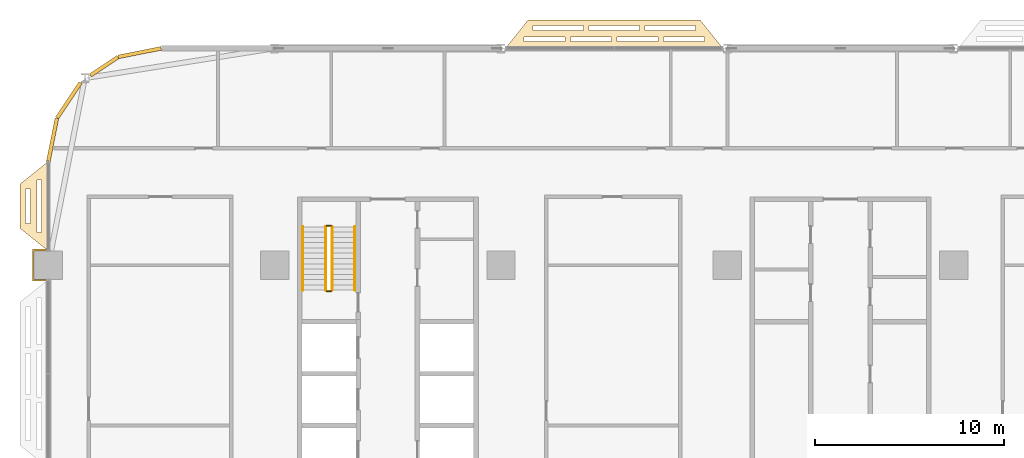
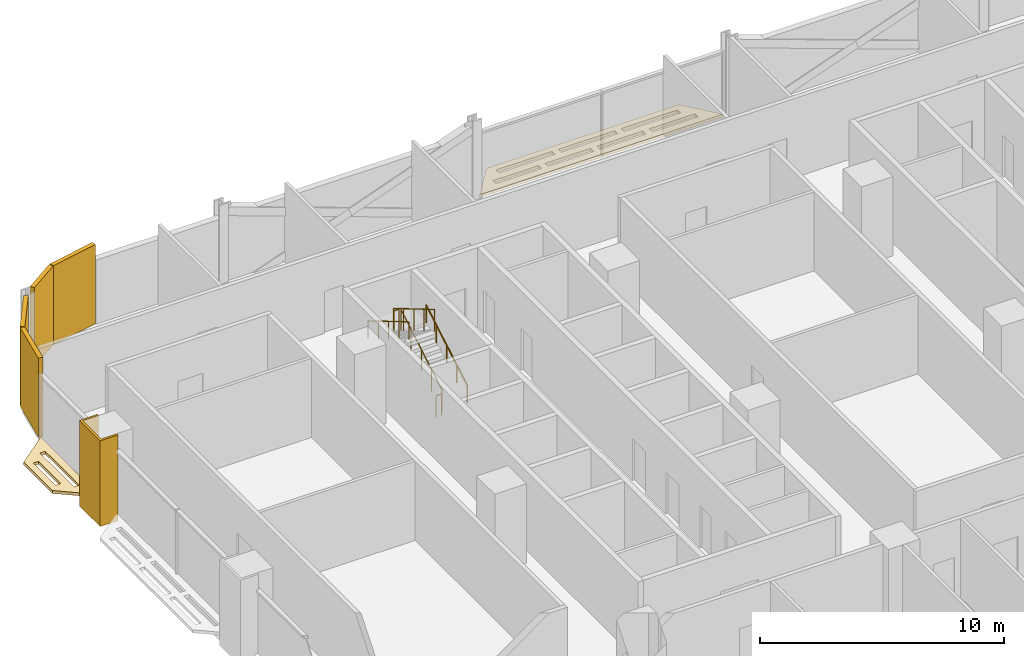
# One storey, part 26 of 29: 7 coverings, 6 railings.
"""IFC4 building model written with IfcOpenShell, lengths in metres."""

from ifc_helpers import new_model, si_unit, direction, frame, origin, origin_2d, place, context, subcontext, project, spatial, polyline, rectangle, circle, outline, extrude, material, layer, layer_set, type_object, element, save


model = new_model("IFC4")

# Units and contexts
model_context = context("Model", 3, precision=1e-05, world=origin(), true_north=direction((0.0, 1.0)))
body_context = subcontext(model_context, "Body", "Model", "MODEL_VIEW")
ifc_project = project(units=[si_unit("LENGTHUNIT", "METRE"), si_unit("AREAUNIT", "SQUARE_METRE"), si_unit("VOLUMEUNIT", "CUBIC_METRE"), si_unit("PLANEANGLEUNIT", "RADIAN"), si_unit("MASSUNIT", "GRAM", prefix="KILO")], contexts=[model_context])

# Site, building, storey
site_placement = place(None, origin())
site = spatial("IfcSite", under=ifc_project, at=site_placement, CompositionType="ELEMENT")
building_placement = place(site_placement, origin())
building = spatial("IfcBuilding", under=site, at=building_placement, Name="Mahtab Terrace Research Tower", CompositionType="ELEMENT")
storey_placement = place(building_placement, frame((0.0, 0.0, 58.89990234375)))
storey = spatial("IfcBuildingStorey", under=building, at=storey_placement, Name="L13", CompositionType="ELEMENT", Elevation=58.89990234375)

# Coverings
ifc_material_1 = material(Name="Black aluminium cladding panel", Category="aluminium")
ifc_layer_1 = layer(ifc_material_1, 0.199951171875)
ifc_layer_set_1 = layer_set([ifc_layer_1], Name="Black metal corner cladding 200")
covering_type_1 = type_object("IfcCoveringType", Name="Black metal corner cladding 200", PredefinedType="CLADDING", material=ifc_layer_set_1)
covering_1_placement = place(storey_placement, frame((-37.14794921875, 22.771484375, 0.0), z_axis=(0.0, 0.0, 1.0), x_axis=(-0.980760981187, -0.195212442692, 0.0)))
element("IfcCovering", 1, at=covering_1_placement, inside=storey, type_object=covering_type_1, Name="Corner cladding L13 11", PredefinedType="CLADDING", context=body_context, shape_type="SweptSolid", body=[
    extrude(rectangle(XDim=2.30126953125, YDim=0.199951171875, at=origin_2d()), origin(), (0.0, 0.0, 1.0), 3.9599609375),
])
covering_2_placement = place(storey_placement, frame((-39.0380859375, 22.047607421875, 0.0), z_axis=(0.0, 0.0, 1.0), x_axis=(-0.831655794326, -0.555291490808, 0.0)))
element("IfcCovering", 2, at=covering_2_placement, inside=storey, type_object=covering_type_1, Name="Corner cladding L13 12", PredefinedType="CLADDING", context=body_context, shape_type="SweptSolid", body=[
    extrude(rectangle(XDim=1.74462890625, YDim=0.199951171875, at=origin_2d()), origin(), (0.0, 0.0, 1.0), 3.9599609375),
])
covering_3_placement = place(storey_placement, frame((-40.911376953125, 20.2421875, 0.0), z_axis=(0.0, 0.0, 1.0), x_axis=(-0.555291490808, -0.831655794326, 0.0)))
element("IfcCovering", 3, at=covering_3_placement, inside=storey, type_object=covering_type_1, Name="Corner cladding L13 13", PredefinedType="CLADDING", context=body_context, shape_type="SweptSolid", body=[
    extrude(rectangle(XDim=2.235595703125, YDim=0.199951171875, at=origin_2d()), origin(), (0.0, 0.0, 1.0), 3.9599609375),
])
covering_4_placement = place(storey_placement, frame((-41.771484375, 18.14794921875, 0.0), z_axis=(0.0, 0.0, 1.0), x_axis=(-0.195212442692, -0.980760981187, 0.0)))
element("IfcCovering", 4, at=covering_4_placement, inside=storey, type_object=covering_type_1, Name="Corner cladding L13 14", PredefinedType="CLADDING", context=body_context, shape_type="SweptSolid", body=[
    extrude(rectangle(XDim=2.30126953125, YDim=0.199951171875, at=origin_2d()), origin(), (0.0, 0.0, 1.0), 3.9599609375),
])
ifc_material_2 = material(Name="Dark anodised aluminium cladding", Category="aluminium")
ifc_layer_2 = layer(ifc_material_2, 0.10009765625)
ifc_layer_set_2 = layer_set([ifc_layer_2], Name="Column casing 100")
covering_type_2 = type_object("IfcCoveringType", Name="Column casing 100", PredefinedType="CLADDING", material=ifc_layer_set_2)
covering_5_placement = place(storey_placement, frame((0.0, 0.0, -0.33984375)))
element("IfcCovering", 5, at=covering_5_placement, inside=storey, type_object=covering_type_2, Name="Column casing RC-1C L13", PredefinedType="CLADDING", context=body_context, shape_type="SweptSolid", body=[
    extrude(outline(polyline([(-42.85009765625, 12.35009765625), (-42.0, 12.35009765625), (-42.0, 12.25), (-42.75, 12.25), (-42.75, 10.75), (-42.0, 10.75), (-42.0, 10.64990234375), (-42.85009765625, 10.64990234375), (-42.85009765625, 12.35009765625)])), origin(), (0.0, 0.0, 1.0), 4.300048828125),
])
ifc_material_3 = material(Name="Black anodised aluminium", Category="aluminium")
ifc_layer_3 = layer(ifc_material_3, 0.14990234375)
ifc_layer_set_3 = layer_set([ifc_layer_3], Name="Horizontal sunshade band")
covering_type_3 = type_object("IfcCoveringType", Name="Horizontal sunshade band", PredefinedType="CLADDING", material=ifc_layer_set_3)
covering_6_placement = place(storey_placement, frame((0.0, 0.0, -0.14990234375)))
element("IfcCovering", 6, at=covering_6_placement, inside=storey, type_object=covering_type_3, Name="Sunshade band L13 8", PredefinedType="CLADDING", context=body_context, shape_type="SweptSolid", body=[
    extrude(outline(polyline([(-6.238037109375, 23.0), (-17.761962890625, 23.0), (-16.56201171875, 24.5), (-7.43798828125, 24.5), (-6.238037109375, 23.0)]), holes=[polyline([(-7.218017578125, 23.35009765625), (-9.384033203125, 23.35009765625), (-9.384033203125, 23.60009765625), (-7.218017578125, 23.60009765625), (-7.218017578125, 23.35009765625)]), polyline([(-9.68408203125, 23.35009765625), (-11.85009765625, 23.35009765625), (-11.85009765625, 23.60009765625), (-9.68408203125, 23.60009765625), (-9.68408203125, 23.35009765625)]), polyline([(-12.14990234375, 23.35009765625), (-14.31591796875, 23.35009765625), (-14.31591796875, 23.60009765625), (-12.14990234375, 23.60009765625), (-12.14990234375, 23.35009765625)]), polyline([(-14.615966796875, 23.35009765625), (-16.781982421875, 23.35009765625), (-16.781982421875, 23.60009765625), (-14.615966796875, 23.60009765625), (-14.615966796875, 23.35009765625)]), polyline([(-7.697998046875, 23.949951171875), (-10.365966796875, 23.949951171875), (-10.365966796875, 24.199951171875), (-7.697998046875, 24.199951171875), (-7.697998046875, 23.949951171875)]), polyline([(-10.666015625, 23.949951171875), (-13.333984375, 23.949951171875), (-13.333984375, 24.199951171875), (-10.666015625, 24.199951171875), (-10.666015625, 23.949951171875)]), polyline([(-13.634033203125, 23.949951171875), (-16.302001953125, 23.949951171875), (-16.302001953125, 24.199951171875), (-13.634033203125, 24.199951171875), (-13.634033203125, 23.949951171875)])]), origin(), (0.0, 0.0, 1.0), 0.14990234375),
])
covering_7_placement = place(storey_placement, frame((0.0, 0.0, -0.14990234375)))
element("IfcCovering", 7, at=covering_7_placement, inside=storey, type_object=covering_type_3, Name="Sunshade band L13 15", PredefinedType="CLADDING", context=body_context, shape_type="SweptSolid", body=[
    extrude(outline(polyline([(-42.0, 17.0), (-42.0, 12.25), (-43.5, 13.449951171875), (-43.5, 15.800048828125), (-42.0, 17.0)]), holes=[polyline([(-42.35009765625, 16.02001953125), (-42.35009765625, 13.22998046875), (-42.60009765625, 13.22998046875), (-42.60009765625, 16.02001953125), (-42.35009765625, 16.02001953125)]), polyline([(-42.949951171875, 15.5400390625), (-42.949951171875, 13.7099609375), (-43.199951171875, 13.7099609375), (-43.199951171875, 15.5400390625), (-42.949951171875, 15.5400390625)])]), origin(), (0.0, 0.0, 1.0), 0.14990234375),
])

# Railings
ifc_material_4 = material(Name="Stainless steel AISI 304", Category="steel")
railing_type_1 = type_object("IfcRailingType", Name="Stair guard 1100", PredefinedType="GUARDRAIL", material=ifc_material_4)
railing_1_placement = place(storey_placement, frame((-26.949951171875, 10.175048828125, 0.16552734375)))
element("IfcRailing", 8, at=railing_1_placement, inside=storey, type_object=railing_type_1, Name="L13 ST1 stair guard 1", PredefinedType="GUARDRAIL", context=body_context, shape_type="SweptSolid", body=[
    extrude(circle(Radius=0.02392578125, at=origin_2d()), frame((0.0, 0.0, 1.076171875), z_axis=(0.0, 0.861011212953, 0.508585972249), x_axis=(-1.0, 0.0, 0.0)), (0.0, 0.0, 1.0), 3.90234375),
    extrude(circle(Radius=0.02099609375, at=origin_2d()), origin(), (0.0, 0.0, 1.0), 1.052001953125),
    extrude(circle(Radius=0.02099609375, at=origin_2d()), frame((0.0, 0.83984375, 0.49609375)), (0.0, 0.0, 1.0), 1.052001953125),
    extrude(circle(Radius=0.02099609375, at=origin_2d()), frame((0.0, 1.679931640625, 0.9921875)), (0.0, 0.0, 1.0), 1.052001953125),
    extrude(circle(Radius=0.02099609375, at=origin_2d()), frame((0.0, 2.52001953125, 1.488525390625)), (0.0, 0.0, 1.0), 1.052001953125),
    extrude(circle(Radius=0.02099609375, at=origin_2d()), frame((0.0, 3.35986328125, 1.984619140625)), (0.0, 0.0, 1.0), 1.052001953125),
])
railing_2_placement = place(storey_placement, frame((-27.0, 13.5849609375, 2.150146484375)))
element("IfcRailing", 9, at=railing_2_placement, inside=storey, type_object=railing_type_1, Name="L13 ST1 stair guard 2", PredefinedType="GUARDRAIL", context=body_context, shape_type="SweptSolid", body=[
    extrude(circle(Radius=0.02392578125, at=origin_2d()), frame((0.0, 0.0, 1.076171875), z_axis=(-1.0, 0.0, 0.0), x_axis=(0.0, -1.0, 0.0)), (0.0, 0.0, 1.0), 0.25),
    extrude(circle(Radius=0.02099609375, at=origin_2d()), origin(), (0.0, 0.0, 1.0), 1.052001953125),
    extrude(circle(Radius=0.02099609375, at=origin_2d()), frame((-0.25, 0.0, 0.0)), (0.0, 0.0, 1.0), 1.052001953125),
])
railing_3_placement = place(storey_placement, frame((-27.300048828125, 13.534912109375, 2.3154296875)))
element("IfcRailing", 10, at=railing_3_placement, inside=storey, type_object=railing_type_1, Name="L13 ST1 stair guard 3", PredefinedType="GUARDRAIL", context=body_context, shape_type="SweptSolid", body=[
    extrude(circle(Radius=0.02392578125, at=origin_2d()), frame((0.0, 0.0, 1.076171875), z_axis=(0.0, -0.861011212953, 0.508585972249), x_axis=(1.0, 0.0, 0.0)), (0.0, 0.0, 1.0), 3.90234375),
    extrude(circle(Radius=0.02099609375, at=origin_2d()), origin(), (0.0, 0.0, 1.0), 1.052001953125),
    extrude(circle(Radius=0.02099609375, at=origin_2d()), frame((0.0, -0.83984375, 0.49609375)), (0.0, 0.0, 1.0), 1.052001953125),
    extrude(circle(Radius=0.02099609375, at=origin_2d()), frame((0.0, -1.679931640625, 0.9921875)), (0.0, 0.0, 1.0), 1.052001953125),
    extrude(circle(Radius=0.02099609375, at=origin_2d()), frame((0.0, -2.52001953125, 1.488525390625)), (0.0, 0.0, 1.0), 1.052001953125),
    extrude(circle(Radius=0.02099609375, at=origin_2d()), frame((0.0, -3.35986328125, 1.984619140625)), (0.0, 0.0, 1.0), 1.052001953125),
])
railing_4_placement = place(storey_placement, frame((-27.0, 10.125, 0.0)))
element("IfcRailing", 11, at=railing_4_placement, inside=storey, type_object=railing_type_1, Name="L13 ST1 stair guard 4", PredefinedType="GUARDRAIL", context=body_context, shape_type="SweptSolid", body=[
    extrude(circle(Radius=0.02392578125, at=origin_2d()), frame((0.0, 0.0, 1.076171875), z_axis=(-1.0, 0.0, 0.0), x_axis=(0.0, -1.0, 0.0)), (0.0, 0.0, 1.0), 0.25),
    extrude(circle(Radius=0.02099609375, at=origin_2d()), origin(), (0.0, 0.0, 1.0), 1.052001953125),
    extrude(circle(Radius=0.02099609375, at=origin_2d()), frame((-0.25, 0.0, 0.0)), (0.0, 0.0, 1.0), 1.052001953125),
])
railing_type_2 = type_object("IfcRailingType", Name="Stair handrail 900", PredefinedType="HANDRAIL", material=ifc_material_4)
railing_5_placement = place(storey_placement, frame((-25.75, 10.175048828125, 0.16552734375)))
element("IfcRailing", 12, at=railing_5_placement, inside=storey, type_object=railing_type_2, Name="L13 ST1 stair handrail 1", PredefinedType="HANDRAIL", context=body_context, shape_type="SweptSolid", body=[
    extrude(circle(Radius=0.02392578125, at=origin_2d()), frame((0.0, 0.0, 0.8759765625), z_axis=(0.0, 0.861011212953, 0.508585972249), x_axis=(-1.0, 0.0, 0.0)), (0.0, 0.0, 1.0), 3.90234375),
    extrude(circle(Radius=0.02099609375, at=origin_2d()), origin(), (0.0, 0.0, 1.0), 0.851806640625),
    extrude(circle(Radius=0.02099609375, at=origin_2d()), frame((0.0, 0.83984375, 0.49609375)), (0.0, 0.0, 1.0), 0.851806640625),
    extrude(circle(Radius=0.02099609375, at=origin_2d()), frame((0.0, 1.679931640625, 0.9921875)), (0.0, 0.0, 1.0), 0.851806640625),
    extrude(circle(Radius=0.02099609375, at=origin_2d()), frame((0.0, 2.52001953125, 1.488525390625)), (0.0, 0.0, 1.0), 0.851806640625),
    extrude(circle(Radius=0.02099609375, at=origin_2d()), frame((0.0, 3.35986328125, 1.984619140625)), (0.0, 0.0, 1.0), 0.851806640625),
])
railing_6_placement = place(storey_placement, frame((-28.5, 13.534912109375, 2.3154296875)))
element("IfcRailing", 13, at=railing_6_placement, inside=storey, type_object=railing_type_2, Name="L13 ST1 stair handrail 2", PredefinedType="HANDRAIL", context=body_context, shape_type="SweptSolid", body=[
    extrude(circle(Radius=0.02392578125, at=origin_2d()), frame((0.0, 0.0, 0.8759765625), z_axis=(0.0, -0.861011212953, 0.508585972249), x_axis=(1.0, 0.0, 0.0)), (0.0, 0.0, 1.0), 3.90234375),
    extrude(circle(Radius=0.02099609375, at=origin_2d()), origin(), (0.0, 0.0, 1.0), 0.851806640625),
    extrude(circle(Radius=0.02099609375, at=origin_2d()), frame((0.0, -0.83984375, 0.49609375)), (0.0, 0.0, 1.0), 0.851806640625),
    extrude(circle(Radius=0.02099609375, at=origin_2d()), frame((0.0, -1.679931640625, 0.9921875)), (0.0, 0.0, 1.0), 0.851806640625),
    extrude(circle(Radius=0.02099609375, at=origin_2d()), frame((0.0, -2.52001953125, 1.488525390625)), (0.0, 0.0, 1.0), 0.851806640625),
    extrude(circle(Radius=0.02099609375, at=origin_2d()), frame((0.0, -3.35986328125, 1.984619140625)), (0.0, 0.0, 1.0), 0.851806640625),
])

save(model, "model.ifc")
